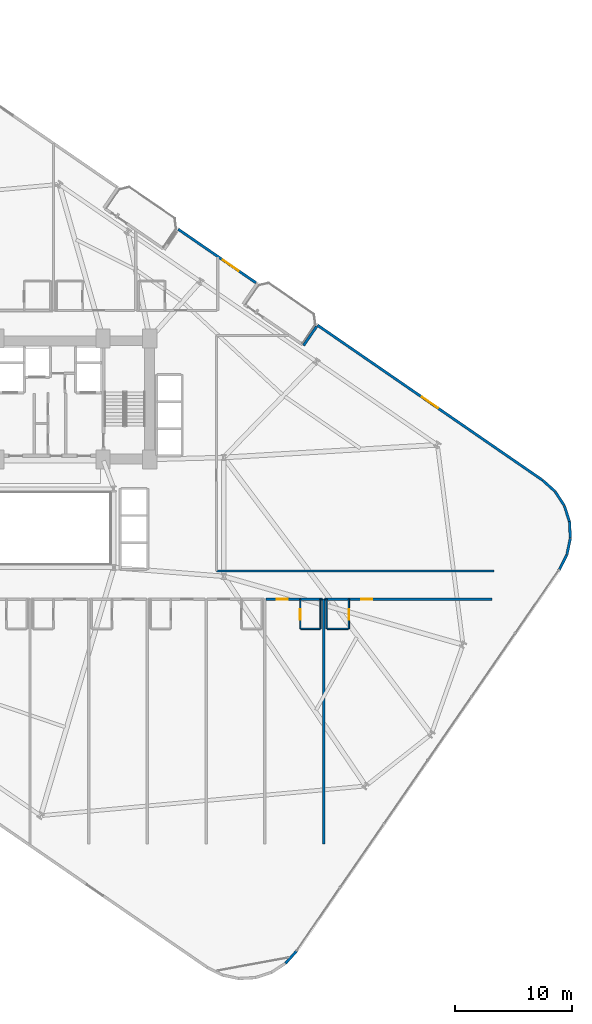
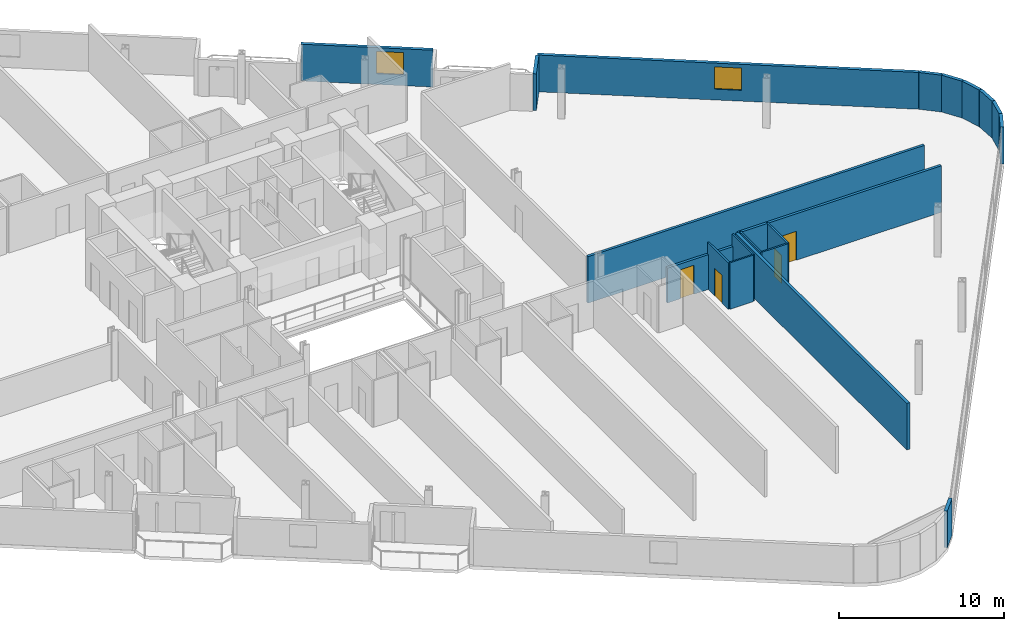
# One storey, part 23 of 27: 20 walls, 4 doors, 2 windows, 6 openings.
"""IFC4 building model written with IfcOpenShell, lengths in metres."""

from ifc_helpers import new_model, si_unit, direction, frame, frame_2d, origin, place, context, subcontext, project, spatial, rectangle, extrude, material, layer, layer_set, type_object, element, fill, save


model = new_model("IFC4")

# Units and contexts
model_context = context("Model", 3, precision=1e-05, world=origin(), true_north=direction((0.0, 1.0)))
body_context = subcontext(model_context, "Body", "Model", "MODEL_VIEW")
ifc_project = project(units=[si_unit("LENGTHUNIT", "METRE"), si_unit("AREAUNIT", "SQUARE_METRE"), si_unit("VOLUMEUNIT", "CUBIC_METRE"), si_unit("PLANEANGLEUNIT", "RADIAN"), si_unit("MASSUNIT", "GRAM", prefix="KILO")], contexts=[model_context])

# Site, building, storey
site_placement = place(None, origin())
site = spatial("IfcSite", under=ifc_project, at=site_placement, CompositionType="ELEMENT")
building_placement = place(site_placement, origin())
building = spatial("IfcBuilding", under=site, at=building_placement, Name="Varnelok Gate Tower", CompositionType="ELEMENT")
storey_placement = place(building_placement, frame((0.0, 0.0, 30.699951171875)))
storey = spatial("IfcBuildingStorey", under=building, at=storey_placement, Name="L06", CompositionType="ELEMENT", Elevation=30.699951171875)

# Walls
ifc_material_1 = material(Name="Concrete C45/55", Category="concrete")
ifc_layer_1 = layer(ifc_material_1, 0.219970703125)
ifc_layer_set_1 = layer_set([ifc_layer_1], Name="Concrete C45/55")
wall_type_1 = type_object("IfcWallType", Name="EW-BALC-220", PredefinedType="SOLIDWALL", material=ifc_layer_set_1)
wall_1_placement = place(storey_placement, frame((59.26611328125, -14.13525390625, 0.0), z_axis=(0.0, 0.0, 1.0), x_axis=(0.669866433955, 0.742481623113, 0.0)))
element("IfcWall", 1, at=wall_1_placement, inside=storey, type_object=wall_type_1, Name="L06 Perimeter Facade Closure Wall 19", PredefinedType="SOLIDWALL", context=body_context, shape_type="SweptSolid", body=[
    extrude(rectangle(XDim=1.4052734375, YDim=0.219970703125, at=frame_2d((0.70263671875, 0.0))), origin(), (0.0, 0.0, 1.0), 2.72998046875),
])
wall_2_placement = place(storey_placement, frame((82.55810546875, 19.355224609375, 0.0), z_axis=(0.0, 0.0, 1.0), x_axis=(0.454777156549, 0.890605264908, 0.0)))
element("IfcWall", 2, at=wall_2_placement, inside=storey, type_object=wall_type_1, Name="L06 Perimeter Facade Closure Wall 20", PredefinedType="SOLIDWALL", context=body_context, shape_type="SweptSolid", body=[
    extrude(rectangle(XDim=1.43017578125, YDim=0.219970703125, at=frame_2d((0.715087890625, 0.0))), origin(), (0.0, 0.0, 1.0), 2.72998046875),
])
wall_3_placement = place(storey_placement, frame((83.2138671875, 20.653564453125, 0.0), z_axis=(0.0, 0.0, 1.0), x_axis=(0.208829011645, 0.977952168511, 0.0)))
element("IfcWall", 3, at=wall_3_placement, inside=storey, type_object=wall_type_1, Name="L06 Perimeter Facade Closure Wall 21", PredefinedType="SOLIDWALL", context=body_context, shape_type="SweptSolid", body=[
    extrude(rectangle(XDim=1.4052734375, YDim=0.219970703125, at=frame_2d((0.70263671875, 0.0))), origin(), (0.0, 0.0, 1.0), 2.72998046875),
])
wall_4_placement = place(storey_placement, frame((83.506103515625, 22.052734375, 0.0), z_axis=(0.0, 0.0, 1.0), x_axis=(-0.051245849735, 0.998686068234, 0.0)))
element("IfcWall", 4, at=wall_4_placement, inside=storey, type_object=wall_type_1, Name="L06 Perimeter Facade Closure Wall 22", PredefinedType="SOLIDWALL", context=body_context, shape_type="SweptSolid", body=[
    extrude(rectangle(XDim=1.405517578125, YDim=0.219970703125, at=frame_2d((0.70263671875, 0.0))), origin(), (0.0, 0.0, 1.0), 2.72998046875),
])
for number, where, z_axis, x_axis, name in (
    (5, (83.426513671875, 23.47998046875, 0.0), (0.0, 0.0, 1.0), (-0.308033059501, 0.951375653596, 0.0), "L06 Perimeter Facade Closure Wall 23"),
    (6, (82.97998046875, 24.837890625, 0.0), (0.0, 0.0, 1.0), (-0.543748195851, 0.839248413468, 0.0), "L06 Perimeter Facade Closure Wall 24"),
):
    element("IfcWall", number, at=place(storey_placement, frame(where, z_axis=z_axis, x_axis=x_axis)), inside=storey, type_object=wall_type_1, Name=name, PredefinedType="SOLIDWALL", context=body_context, shape_type="SweptSolid", body=[
        extrude(rectangle(XDim=1.4052734375, YDim=0.219970703125, at=frame_2d((0.70263671875, 0.0))), origin(), (0.0, 0.0, 1.0), 2.72998046875),
    ])
wall_5_placement = place(storey_placement, frame((82.197265625, 26.033935546875, 0.0), z_axis=(0.0, 0.0, 1.0), x_axis=(-0.742374254638, 0.669985422268, 0.0)))
element("IfcWall", 7, at=wall_5_placement, inside=storey, type_object=wall_type_1, Name="L06 Perimeter Facade Closure Wall 25", PredefinedType="SOLIDWALL", context=body_context, shape_type="SweptSolid", body=[
    extrude(rectangle(XDim=1.4130859375, YDim=0.219970703125, at=frame_2d((0.70654296875, 0.0))), origin(), (0.0, 0.0, 1.0), 2.72998046875),
])

# Wall, opening, window
wall_6_placement = place(storey_placement, frame((81.12744140625, 26.994873046875, 0.0), z_axis=(0.0, 0.0, 1.0), x_axis=(-0.823530169317, 0.567272474411, 0.0)))
wall_6 = element("IfcWall", 8, at=wall_6_placement, inside=storey, type_object=wall_type_1, Name="L06 Perimeter Facade Closure Wall 26", PredefinedType="SOLIDWALL", context=body_context, shape_type="SweptSolid", body=[
    extrude(rectangle(XDim=23.247314453125, YDim=0.219970703125, at=frame_2d((11.62353515625, 0.0))), origin(), (0.0, 0.0, 1.0), 2.72998046875),
])
opening_1_placement = place(wall_6_placement, frame((10.798583984375, 0.0, 0.800048828125)))
opening_1 = element("IfcOpeningElement", 9, at=opening_1_placement, cuts=wall_6, Name="Opening WN3", PredefinedType="OPENING", context=body_context, shape_type="SweptSolid", body=[
    extrude(rectangle(XDim=1.64990234375, YDim=1.64990234375, at=frame_2d((0.824951171875, 0.824951171875))), frame((0.0, 0.119873046875, 0.0), z_axis=(0.0, -1.0, 0.0), x_axis=(1.0, 0.0, 0.0)), (0.0, 0.0, 1.0), 0.239990234375),
])
ifc_material_2 = material(Name="Low-E Laminated Double Glazing IGU", Category="glass")
window_type = type_object("IfcWindowType", Name="WN-HTL-1650", PartitioningType="SINGLE_PANEL", PredefinedType="WINDOW", material=ifc_material_2)
window_1_placement = place(opening_1_placement, origin())
window_1 = element("IfcWindow", 10, at=window_1_placement, inside=storey, type_object=window_type, Name="L06 Perimeter Vision Window 26", OverallHeight=1.64990234375, OverallWidth=1.64990234375, PartitioningType="SINGLE_PANEL", PredefinedType="WINDOW", context=body_context, shape_type="SweptSolid", body=[
    extrude(rectangle(XDim=1.64990234375, YDim=1.64990234375, at=frame_2d((0.824951171875, 0.824951171875))), frame((0.0, 0.030029296875, 0.0), z_axis=(0.0, -1.0, 0.0), x_axis=(1.0, 0.0, 0.0)), (0.0, 0.0, 1.0), 0.06005859375),
])
fill(opening_1, window_1)

# Wall
wall_7_placement = place(storey_placement, frame((61.91162109375, 40.079345703125, 0.0), z_axis=(0.0, 0.0, 1.0), x_axis=(-0.567189720735, -0.82358716642, 0.0)))
element("IfcWall", 11, at=wall_7_placement, inside=storey, type_object=wall_type_1, Name="L06 Perimeter Facade Closure Wall 27", PredefinedType="SOLIDWALL", context=body_context, shape_type="SweptSolid", body=[
    extrude(rectangle(XDim=1.974853515625, YDim=0.219970703125, at=frame_2d((0.9873046875, 0.0))), origin(), (0.0, 0.0, 1.0), 2.72998046875),
])

# Wall, opening, window
wall_8_placement = place(storey_placement, frame((56.740966796875, 43.79296875, 0.0), z_axis=(0.0, 0.0, 1.0), x_axis=(-0.823530942962, 0.56727135128, 0.0)))
wall_8 = element("IfcWall", 12, at=wall_8_placement, inside=storey, type_object=wall_type_1, Name="L06 Perimeter Facade Closure Wall 29", PredefinedType="SOLIDWALL", context=body_context, shape_type="SweptSolid", body=[
    extrude(rectangle(XDim=8.03515625, YDim=0.219970703125, at=frame_2d((4.017578125, 0.0))), origin(), (0.0, 0.0, 1.0), 2.72998046875),
])
opening_2_placement = place(wall_8_placement, frame((1.787841796875, 0.0, 0.800048828125)))
opening_2 = element("IfcOpeningElement", 13, at=opening_2_placement, cuts=wall_8, Name="Opening WN3", PredefinedType="OPENING", context=body_context, shape_type="SweptSolid", body=[
    extrude(rectangle(XDim=1.64990234375, YDim=1.64990234375, at=frame_2d((0.824951171875, 0.824951171875))), frame((0.0, 0.119873046875, 0.0), z_axis=(0.0, -1.0, 0.0), x_axis=(1.0, 0.0, 0.0)), (0.0, 0.0, 1.0), 0.239990234375),
])
window_2_placement = place(opening_2_placement, origin())
window_2 = element("IfcWindow", 14, at=window_2_placement, inside=storey, type_object=window_type, Name="L06 Perimeter Vision Window 29", OverallHeight=1.64990234375, OverallWidth=1.64990234375, PartitioningType="SINGLE_PANEL", PredefinedType="WINDOW", context=body_context, shape_type="SweptSolid", body=[
    extrude(rectangle(XDim=1.64990234375, YDim=1.64990234375, at=frame_2d((0.824951171875, 0.824951171875))), frame((0.0, 0.030029296875, 0.0), z_axis=(0.0, -1.0, 0.0), x_axis=(1.0, 0.0, 0.0)), (0.0, 0.0, 1.0), 0.06005859375),
])
fill(opening_2, window_2)

# Wall, opening, door
ifc_material_3 = material(Name="Gypsum Plasterboard Acoustic Partition", Category="gypsum")
ifc_layer_2 = layer(ifc_material_3, 0.179931640625)
ifc_layer_set_2 = layer_set([ifc_layer_2], Name="Gypsum Plasterboard Acoustic Partition")
wall_type_2 = type_object("IfcWallType", Name="PW-CORR-180", PredefinedType="PARTITIONING", material=ifc_layer_set_2)
wall_9_placement = place(storey_placement, frame((57.580078125, 16.85009765625, 0.0), z_axis=(0.0, 0.0, 1.0), x_axis=(1.0, 0.0, 0.0)))
wall_9 = element("IfcWall", 15, at=wall_9_placement, inside=storey, type_object=wall_type_2, Name="Interior Partition", PredefinedType="PARTITIONING", context=body_context, shape_type="SweptSolid", body=[
    extrude(rectangle(XDim=4.83984375, YDim=0.179931640625, at=frame_2d((2.419921875, 0.0))), origin(), (0.0, 0.0, 1.0), 2.580078125),
])
opening_3_placement = place(wall_9_placement, frame((0.92919921875, 0.0, 0.0)))
opening_3 = element("IfcOpeningElement", 16, at=opening_3_placement, cuts=wall_9, Name="Opening D-HT", PredefinedType="OPENING", context=body_context, shape_type="SweptSolid", body=[
    extrude(rectangle(XDim=0.949951171875, YDim=2.14990234375, at=frame_2d((0.47509765625, 1.074951171875))), frame((0.0, 0.099853515625, 0.0), z_axis=(0.0, -1.0, 0.0), x_axis=(1.0, 0.0, 0.0)), (0.0, 0.0, 1.0), 0.199951171875),
])
ifc_material_4 = material(Name="Engineered Hardwood Timber", Category="wood")
door_type_1 = type_object("IfcDoorType", Name="DR-HTL-950", OperationType="NOTDEFINED", PredefinedType="DOOR", material=ifc_material_4)
door_1_placement = place(opening_3_placement, origin())
door_1 = element("IfcDoor", 17, at=door_1_placement, inside=storey, type_object=door_type_1, Name="L06 Guest Room 11 Entrance Door", OperationType="SINGLE_SWING_RIGHT", OverallHeight=2.14990234375, OverallWidth=0.949951171875, PredefinedType="DOOR", context=body_context, shape_type="SweptSolid", body=[
    extrude(rectangle(XDim=0.949951171875, YDim=2.14990234375, at=frame_2d((0.47509765625, 1.074951171875))), frame((0.0, 0.02490234375, 0.0), z_axis=(0.0, -1.0, 0.0), x_axis=(1.0, 0.0, 0.0)), (0.0, 0.0, 1.0), 0.050048828125),
])
fill(opening_3, door_1)

wall_10_placement = place(storey_placement, frame((62.580078125, 16.85009765625, 0.0), z_axis=(0.0, 0.0, 1.0), x_axis=(1.0, 0.0, 0.0)))
wall_10 = element("IfcWall", 18, at=wall_10_placement, inside=storey, type_object=wall_type_2, Name="Interior Partition", PredefinedType="PARTITIONING", context=body_context, shape_type="SweptSolid", body=[
    extrude(rectangle(XDim=14.239990234375, YDim=0.179931640625, at=frame_2d((7.1201171875, 0.0))), origin(), (0.0, 0.0, 1.0), 3.449951171875),
])
opening_4_placement = place(wall_10_placement, frame((3.110107421875, 0.0, 0.0)))
opening_4 = element("IfcOpeningElement", 19, at=opening_4_placement, cuts=wall_10, Name="Opening D-HT", PredefinedType="OPENING", context=body_context, shape_type="SweptSolid", body=[
    extrude(rectangle(XDim=0.949951171875, YDim=2.14990234375, at=frame_2d((0.47509765625, 1.074951171875))), frame((0.0, 0.099853515625, 0.0), z_axis=(0.0, -1.0, 0.0), x_axis=(1.0, 0.0, 0.0)), (0.0, 0.0, 1.0), 0.199951171875),
])
door_2_placement = place(opening_4_placement, origin())
door_2 = element("IfcDoor", 20, at=door_2_placement, inside=storey, type_object=door_type_1, Name="L06 Guest Room 12 Entrance Door", OperationType="SINGLE_SWING_LEFT", OverallHeight=2.14990234375, OverallWidth=0.949951171875, PredefinedType="DOOR", context=body_context, shape_type="SweptSolid", body=[
    extrude(rectangle(XDim=0.949951171875, YDim=2.14990234375, at=frame_2d((0.47509765625, 1.074951171875))), frame((0.0, 0.02490234375, 0.0), z_axis=(0.0, -1.0, 0.0), x_axis=(1.0, 0.0, 0.0)), (0.0, 0.0, 1.0), 0.050048828125),
])
fill(opening_4, door_2)

# Walls
wall_11_placement = place(storey_placement, frame((53.389892578125, 19.239990234375, 0.0), z_axis=(0.0, 0.0, 1.0), x_axis=(1.0, 0.0, 0.0)))
element("IfcWall", 21, at=wall_11_placement, inside=storey, type_object=wall_type_2, Name="Interior Partition", PredefinedType="PARTITIONING", context=body_context, shape_type="SweptSolid", body=[
    extrude(rectangle(XDim=23.610107421875, YDim=0.179931640625, at=frame_2d((11.80517578125, 0.0))), origin(), (0.0, 0.0, 1.0), 3.449951171875),
])
ifc_layer_3 = layer(ifc_material_3, 0.114990234375)
ifc_layer_set_3 = layer_set([ifc_layer_3], Name="Gypsum Plasterboard Acoustic Partition")
wall_type_3 = type_object("IfcWallType", Name="PW-ENS-125", PredefinedType="PARTITIONING", material=ifc_layer_set_3)
wall_12_placement = place(storey_placement, frame((60.550048828125, 14.330078125, 0.0), z_axis=(0.0, 0.0, 1.0), x_axis=(1.0, 0.0, 0.0)))
element("IfcWall", 22, at=wall_12_placement, inside=storey, type_object=wall_type_3, Name="Interior Partition", PredefinedType="PARTITIONING", context=body_context, shape_type="SweptSolid", body=[
    extrude(rectangle(XDim=1.64990234375, YDim=0.114990234375, at=frame_2d((0.824951171875, 0.0))), origin(), (0.0, 0.0, 1.0), 3.449951171875),
])

# Wall, opening, door
wall_13_placement = place(storey_placement, frame((60.510009765625, 14.330078125, 0.0), z_axis=(0.0, 0.0, 1.0), x_axis=(0.0, 1.0, 0.0)))
wall_13 = element("IfcWall", 23, at=wall_13_placement, inside=storey, type_object=wall_type_3, Name="Interior Partition", PredefinedType="PARTITIONING", context=body_context, shape_type="SweptSolid", body=[
    extrude(rectangle(XDim=2.52001953125, YDim=0.114990234375, at=frame_2d((1.260009765625, 0.0))), origin(), (0.0, 0.0, 1.0), 3.449951171875),
])
opening_5_placement = place(wall_13_placement, frame((0.760009765625, 0.0, 0.0)))
opening_5 = element("IfcOpeningElement", 24, at=opening_5_placement, cuts=wall_13, Name="Opening D-WC", PredefinedType="OPENING", context=body_context, shape_type="SweptSolid", body=[
    extrude(rectangle(XDim=0.89990234375, YDim=2.050048828125, at=frame_2d((0.449951171875, 1.02490234375))), frame((0.0, 0.0673828125, 0.0), z_axis=(0.0, -1.0, 0.0), x_axis=(1.0, 0.0, 0.0)), (0.0, 0.0, 1.0), 0.135009765625),
])
door_type_2 = type_object("IfcDoorType", Name="DR-BATH-900", OperationType="NOTDEFINED", PredefinedType="DOOR", material=ifc_material_4)
door_3_placement = place(opening_5_placement, origin())
door_3 = element("IfcDoor", 25, at=door_3_placement, inside=storey, type_object=door_type_2, Name="L06 Guest En-Suite 11 Door", OperationType="SINGLE_SWING_RIGHT", OverallHeight=2.050048828125, OverallWidth=0.89990234375, PredefinedType="DOOR", context=body_context, shape_type="SweptSolid", body=[
    extrude(rectangle(XDim=0.89990234375, YDim=2.050048828125, at=frame_2d((0.449951171875, 1.02490234375))), frame((0.0, 0.02490234375, 0.0), z_axis=(0.0, -1.0, 0.0), x_axis=(1.0, 0.0, 0.0)), (0.0, 0.0, 1.0), 0.050048828125),
])
fill(opening_5, door_3)

# Walls
wall_14_placement = place(storey_placement, frame((62.239990234375, 14.330078125, 0.0), z_axis=(0.0, 0.0, 1.0), x_axis=(0.0, 1.0, 0.0)))
element("IfcWall", 26, at=wall_14_placement, inside=storey, type_object=wall_type_3, Name="Interior Partition", PredefinedType="PARTITIONING", context=body_context, shape_type="SweptSolid", body=[
    extrude(rectangle(XDim=2.52001953125, YDim=0.114990234375, at=frame_2d((1.260009765625, 0.0))), origin(), (0.0, 0.0, 1.0), 3.449951171875),
])
wall_15_placement = place(storey_placement, frame((62.800048828125, 14.330078125, 0.0), z_axis=(0.0, 0.0, 1.0), x_axis=(1.0, 0.0, 0.0)))
element("IfcWall", 27, at=wall_15_placement, inside=storey, type_object=wall_type_3, Name="Interior Partition", PredefinedType="PARTITIONING", context=body_context, shape_type="SweptSolid", body=[
    extrude(rectangle(XDim=1.80712890625, YDim=0.114990234375, at=frame_2d((0.903564453125, 0.0))), origin(), (0.0, 0.0, 1.0), 3.449951171875),
])

# Wall, opening, door
wall_16_placement = place(storey_placement, frame((64.647216796875, 14.330078125, 0.0), z_axis=(0.0, 0.0, 1.0), x_axis=(0.0, 1.0, 0.0)))
wall_16 = element("IfcWall", 28, at=wall_16_placement, inside=storey, type_object=wall_type_3, Name="Interior Partition", PredefinedType="PARTITIONING", context=body_context, shape_type="SweptSolid", body=[
    extrude(rectangle(XDim=2.52001953125, YDim=0.114990234375, at=frame_2d((1.260009765625, 0.0))), origin(), (0.0, 0.0, 1.0), 3.449951171875),
])
opening_6_placement = place(wall_16_placement, frame((0.760009765625, 0.0, 0.0)))
opening_6 = element("IfcOpeningElement", 29, at=opening_6_placement, cuts=wall_16, Name="Opening D-WC", PredefinedType="OPENING", context=body_context, shape_type="SweptSolid", body=[
    extrude(rectangle(XDim=0.89990234375, YDim=2.050048828125, at=frame_2d((0.449951171875, 1.02490234375))), frame((0.0, 0.0673828125, 0.0), z_axis=(0.0, -1.0, 0.0), x_axis=(1.0, 0.0, 0.0)), (0.0, 0.0, 1.0), 0.135009765625),
])
door_4_placement = place(opening_6_placement, origin())
door_4 = element("IfcDoor", 30, at=door_4_placement, inside=storey, type_object=door_type_2, Name="L06 Guest En-Suite 12 Door", OperationType="SINGLE_SWING_LEFT", OverallHeight=2.050048828125, OverallWidth=0.89990234375, PredefinedType="DOOR", context=body_context, shape_type="SweptSolid", body=[
    extrude(rectangle(XDim=0.89990234375, YDim=2.050048828125, at=frame_2d((0.449951171875, 1.02490234375))), frame((0.0, 0.02490234375, 0.0), z_axis=(0.0, -1.0, 0.0), x_axis=(1.0, 0.0, 0.0)), (0.0, 0.0, 1.0), 0.050048828125),
])
fill(opening_6, door_4)

# Walls
wall_17_placement = place(storey_placement, frame((62.760009765625, 14.330078125, 0.0), z_axis=(0.0, 0.0, 1.0), x_axis=(0.0, 1.0, 0.0)))
element("IfcWall", 31, at=wall_17_placement, inside=storey, type_object=wall_type_3, Name="Interior Partition", PredefinedType="PARTITIONING", context=body_context, shape_type="SweptSolid", body=[
    extrude(rectangle(XDim=2.52001953125, YDim=0.114990234375, at=frame_2d((1.260009765625, 0.0))), origin(), (0.0, 0.0, 1.0), 3.449951171875),
])
ifc_layer_4 = layer(ifc_material_3, 0.205078125)
ifc_layer_set_4 = layer_set([ifc_layer_4], Name="Gypsum Plasterboard Acoustic Partition")
wall_type_4 = type_object("IfcWallType", Name="PW-PARTY-200", PredefinedType="PARTITIONING", material=ifc_layer_set_4)
wall_18_placement = place(storey_placement, frame((62.5, -4.0, 0.0), z_axis=(0.0, 0.0, 1.0), x_axis=(0.0, 1.0, 0.0)))
element("IfcWall", 32, at=wall_18_placement, inside=storey, type_object=wall_type_4, Name="L06 South Party Wall 11", PredefinedType="PARTITIONING", context=body_context, shape_type="SweptSolid", body=[
    extrude(rectangle(XDim=20.85009765625, YDim=0.205078125, at=frame_2d((10.425048828125, 0.0))), origin(), (0.0, 0.0, 1.0), 3.449951171875),
])

save(model, "model.ifc")
